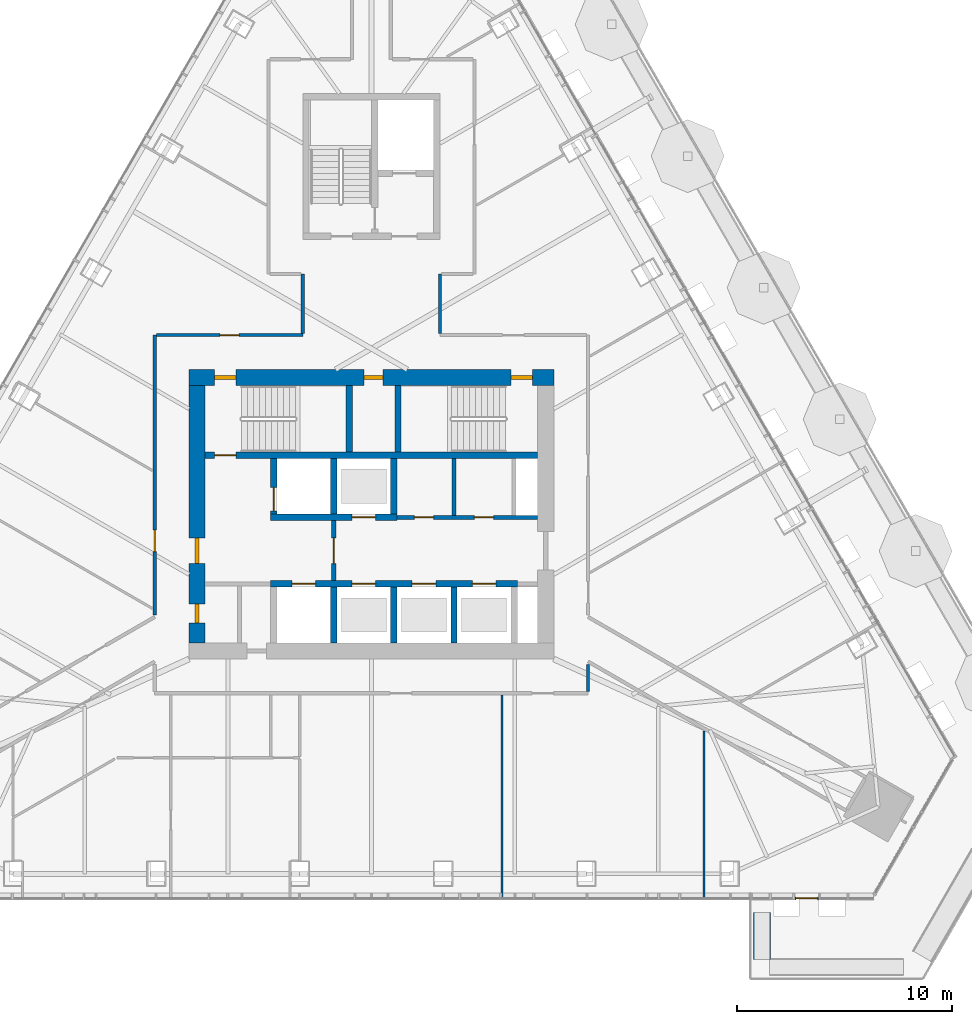
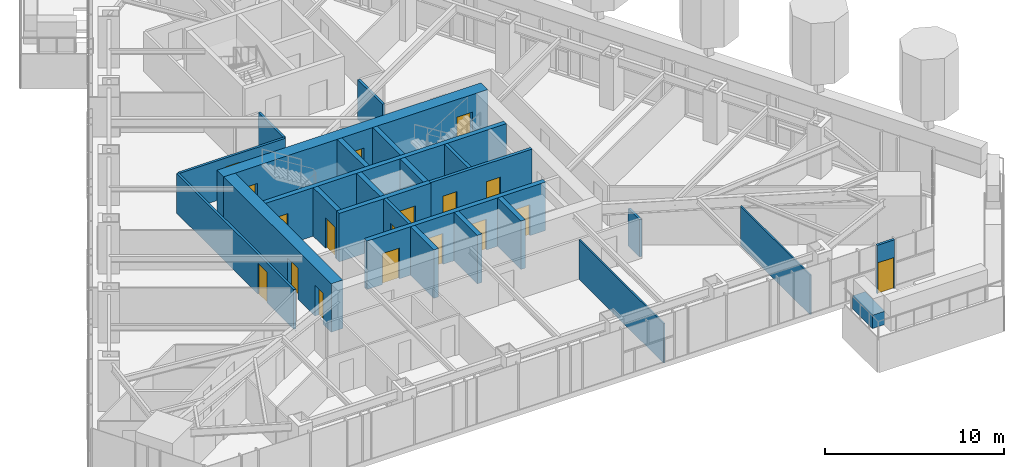
# One storey, part 18 of 24: 25 walls, 18 doors, 18 openings, 1 element without a shape of its own.
"""IFC4 building model written with IfcOpenShell, lengths in metres."""

from ifc_helpers import new_model, si_unit, direction, frame, frame_2d, origin, place, context, subcontext, project, spatial, rectangle, extrude, material, layer, layer_set, type_object, element, fill, aggregate, save


model = new_model("IFC4")

# Units and contexts
model_context = context("Model", 3, precision=1e-05, world=origin(), true_north=direction((0.0, 1.0)))
body_context = subcontext(model_context, "Body", "Model", "MODEL_VIEW")
ifc_project = project(units=[si_unit("LENGTHUNIT", "METRE"), si_unit("AREAUNIT", "SQUARE_METRE"), si_unit("VOLUMEUNIT", "CUBIC_METRE"), si_unit("PLANEANGLEUNIT", "RADIAN"), si_unit("MASSUNIT", "GRAM", prefix="KILO")], contexts=[model_context])

# Site, building, storey
site_placement = place(None, origin())
site = spatial("IfcSite", under=ifc_project, at=site_placement, CompositionType="ELEMENT")
building_placement = place(site_placement, origin())
building = spatial("IfcBuilding", under=site, at=building_placement, Name="Firuza Gate Tower and Library", CompositionType="ELEMENT")
storey_placement = place(building_placement, frame((0.0, 0.0, 267.10009765625)))
storey = spatial("IfcBuildingStorey", under=building, at=storey_placement, Name="L63", CompositionType="ELEMENT", Elevation=267.10009765625)

# Wall, openings, doors
ifc_material_1 = material(Name="Plasterboard on steel studs", Category="steel")
ifc_layer_1 = layer(ifc_material_1, 0.199951171875)
ifc_layer_set_1 = layer_set([ifc_layer_1], Name="Core partition 200 EI 120")
wall_type_1 = type_object("IfcWallType", Name="Core partition 200 EI 120", PredefinedType="PARTITIONING", material=ifc_layer_set_1)
wall_1_placement = place(storey_placement, frame((76.199951171875, 74.85009765625, 0.0), z_axis=(0.0, 0.0, 1.0), x_axis=(1.0, 0.0, 0.0)))
wall_1 = element("IfcWall", 1, at=wall_1_placement, inside=storey, type_object=wall_type_1, Name="Core partition L63 3", PredefinedType="PARTITIONING", context=body_context, shape_type="SweptSolid", body=[
    extrude(rectangle(XDim=6.550048828125, YDim=0.199951171875, at=frame_2d((3.27490234375, 0.0))), origin(), (0.0, 0.0, 1.0), 3.2998046875),
])
opening_1_placement = place(wall_1_placement, frame((0.800048828125, 0.0, 0.0)))
opening_1 = element("IfcOpeningElement", 2, at=opening_1_placement, cuts=wall_1, Name="Opening L63-K19", PredefinedType="OPENING", context=body_context, shape_type="SweptSolid", body=[
    extrude(rectangle(XDim=0.89990234375, YDim=2.10009765625, at=frame_2d((0.449951171875, 1.050048828125))), frame((0.0, 0.10986328125, 0.0), z_axis=(0.0, -1.0, 0.0), x_axis=(1.0, 0.0, 0.0)), (0.0, 0.0, 1.0), 0.219970703125),
])
opening_2_placement = place(wall_1_placement, frame((3.60009765625, 0.0, 0.0)))
opening_2 = element("IfcOpeningElement", 3, at=opening_2_placement, cuts=wall_1, Name="Opening L63-K20", PredefinedType="OPENING", context=body_context, shape_type="SweptSolid", body=[
    extrude(rectangle(XDim=0.89990234375, YDim=2.10009765625, at=frame_2d((0.449951171875, 1.050048828125))), frame((0.0, 0.10986328125, 0.0), z_axis=(0.0, -1.0, 0.0), x_axis=(1.0, 0.0, 0.0)), (0.0, 0.0, 1.0), 0.219970703125),
])
ifc_material_2 = material(Name="Steel", Category="steel")
door_type_1 = type_object("IfcDoorType", Name="Fire door 900x2100 FD30S", OperationType="NOTDEFINED", PredefinedType="DOOR", material=ifc_material_2)
door_1_placement = place(opening_1_placement, origin())
door_1 = element("IfcDoor", 4, at=door_1_placement, inside=storey, type_object=door_type_1, Name="Door L63-K19", OperationType="SINGLE_SWING_RIGHT", OverallHeight=2.10009765625, OverallWidth=0.89990234375, PredefinedType="DOOR", context=body_context, shape_type="SweptSolid", body=[
    extrude(rectangle(XDim=0.89990234375, YDim=2.10009765625, at=frame_2d((0.449951171875, 1.050048828125))), frame((0.0, 0.02490234375, 0.0), z_axis=(0.0, -1.0, 0.0), x_axis=(1.0, 0.0, 0.0)), (0.0, 0.0, 1.0), 0.050048828125),
])
fill(opening_1, door_1)
door_2_placement = place(opening_2_placement, origin())
door_2 = element("IfcDoor", 5, at=door_2_placement, inside=storey, type_object=door_type_1, Name="Door L63-K20", OperationType="SINGLE_SWING_LEFT", OverallHeight=2.10009765625, OverallWidth=0.89990234375, PredefinedType="DOOR", context=body_context, shape_type="SweptSolid", body=[
    extrude(rectangle(XDim=0.89990234375, YDim=2.10009765625, at=frame_2d((0.449951171875, 1.050048828125))), frame((0.0, 0.02490234375, 0.0), z_axis=(0.0, -1.0, 0.0), x_axis=(1.0, 0.0, 0.0)), (0.0, 0.0, 1.0), 0.050048828125),
])
fill(opening_2, door_2)

# Wall
wall_2_placement = place(storey_placement, frame((78.85009765625, 74.949951171875, 0.0), z_axis=(0.0, 0.0, 1.0), x_axis=(0.0, 1.0, 0.0)))
element("IfcWall", 6, at=wall_2_placement, inside=storey, type_object=wall_type_1, Name="Core partition L63 6", PredefinedType="PARTITIONING", context=body_context, shape_type="SweptSolid", body=[
    extrude(rectangle(XDim=2.650146484375, YDim=0.199951171875, at=frame_2d((1.3251953125, 0.0))), origin(), (0.0, 0.0, 1.0), 3.2998046875),
])

# Wall, opening, door
ifc_material_3 = material(Name="Plasterboard on steel studs", Category="steel")
ifc_layer_2 = layer(ifc_material_3, 0.199951171875)
ifc_layer_set_2 = layer_set([ifc_layer_2], Name="Core partition 200 EI 60")
wall_type_2 = type_object("IfcWallType", Name="Core partition 200 EI 60", PredefinedType="PARTITIONING", material=ifc_layer_set_2)
wall_3_placement = place(storey_placement, frame((73.25, 71.89990234375, 0.0), z_axis=(0.0, 0.0, 1.0), x_axis=(0.0, 1.0, 0.0)))
wall_3 = element("IfcWall", 7, at=wall_3_placement, inside=storey, type_object=wall_type_2, Name="Core partition L63 5", PredefinedType="PARTITIONING", context=body_context, shape_type="SweptSolid", body=[
    extrude(rectangle(XDim=2.800048828125, YDim=0.199951171875, at=frame_2d((1.39990234375, 0.0))), origin(), (0.0, 0.0, 1.0), 3.2998046875),
])
opening_3_placement = place(wall_3_placement, frame((0.800048828125, 0.0, 0.0)))
opening_3 = element("IfcOpeningElement", 8, at=opening_3_placement, cuts=wall_3, Name="Opening L63-K14", PredefinedType="OPENING", context=body_context, shape_type="SweptSolid", body=[
    extrude(rectangle(XDim=1.199951171875, YDim=2.10009765625, at=frame_2d((0.60009765625, 1.050048828125))), frame((0.0, 0.10986328125, 0.0), z_axis=(0.0, -1.0, 0.0), x_axis=(1.0, 0.0, 0.0)), (0.0, 0.0, 1.0), 0.219970703125),
])
ifc_material_4 = material(Name="Steel", Category="steel")
door_type_2 = type_object("IfcDoorType", Name="Fire door 1200x2100 FD90S", OperationType="NOTDEFINED", PredefinedType="DOOR", material=ifc_material_4)
door_3_placement = place(opening_3_placement, origin())
door_3 = element("IfcDoor", 9, at=door_3_placement, inside=storey, type_object=door_type_2, Name="Door L63-K14", OperationType="SINGLE_SWING_LEFT", OverallHeight=2.10009765625, OverallWidth=1.199951171875, PredefinedType="DOOR", context=body_context, shape_type="SweptSolid", body=[
    extrude(rectangle(XDim=1.199951171875, YDim=2.10009765625, at=frame_2d((0.60009765625, 1.050048828125))), frame((0.0, 0.02490234375, 0.0), z_axis=(0.0, -1.0, 0.0), x_axis=(1.0, 0.0, 0.0)), (0.0, 0.0, 1.0), 0.050048828125),
])
fill(opening_3, door_3)

# Wall, openings, doors
ifc_material_5 = material(Name="Concrete C60/75", Category="concrete")
ifc_layer_3 = layer(ifc_material_5, 0.300048828125)
ifc_layer_set_3 = layer_set([ifc_layer_3], Name="Core wall 300 C60/75")
wall_type_3 = type_object("IfcWallType", Name="Core wall 300 C60/75", PredefinedType="SHEAR", material=ifc_layer_set_3)
wall_4_placement = place(storey_placement, frame((70.300048828125, 71.75, 0.0), z_axis=(0.0, 0.0, 1.0), x_axis=(1.0, 0.0, 0.0)))
wall_4 = element("IfcWall", 10, at=wall_4_placement, inside=storey, type_object=wall_type_3, Name="Core wall L63 5", PredefinedType="SHEAR", context=body_context, shape_type="SweptSolid", body=[
    extrude(rectangle(XDim=11.5, YDim=0.300048828125, at=frame_2d((5.75, 0.0))), origin(), (0.0, 0.0, 1.0), 3.2998046875),
])
opening_4_placement = place(wall_4_placement, frame((1.0, 0.0, 0.0)))
opening_4 = element("IfcOpeningElement", 11, at=opening_4_placement, cuts=wall_4, Name="Opening LD-FF1-L63", PredefinedType="OPENING", context=body_context, shape_type="SweptSolid", body=[
    extrude(rectangle(XDim=1.10009765625, YDim=2.10009765625, at=frame_2d((0.550048828125, 1.050048828125))), frame((0.0, 0.16015625, 0.0), z_axis=(0.0, -1.0, 0.0), x_axis=(1.0, 0.0, 0.0)), (0.0, 0.0, 1.0), 0.320068359375),
])
opening_5_placement = place(wall_4_placement, frame((3.800048828125, 0.0, 0.0)))
opening_5 = element("IfcOpeningElement", 12, at=opening_5_placement, cuts=wall_4, Name="Opening LD-HR1-L63", PredefinedType="OPENING", context=body_context, shape_type="SweptSolid", body=[
    extrude(rectangle(XDim=1.10009765625, YDim=2.10009765625, at=frame_2d((0.550048828125, 1.050048828125))), frame((0.0, 0.16015625, 0.0), z_axis=(0.0, -1.0, 0.0), x_axis=(1.0, 0.0, 0.0)), (0.0, 0.0, 1.0), 0.320068359375),
])
opening_6_placement = place(wall_4_placement, frame((6.60009765625, 0.0, 0.0)))
opening_6 = element("IfcOpeningElement", 13, at=opening_6_placement, cuts=wall_4, Name="Opening LD-HR2-L63", PredefinedType="OPENING", context=body_context, shape_type="SweptSolid", body=[
    extrude(rectangle(XDim=1.10009765625, YDim=2.10009765625, at=frame_2d((0.550048828125, 1.050048828125))), frame((0.0, 0.16015625, 0.0), z_axis=(0.0, -1.0, 0.0), x_axis=(1.0, 0.0, 0.0)), (0.0, 0.0, 1.0), 0.320068359375),
])
opening_7_placement = place(wall_4_placement, frame((9.39990234375, 0.0, 0.0)))
opening_7 = element("IfcOpeningElement", 14, at=opening_7_placement, cuts=wall_4, Name="Opening LD-HR3-L63", PredefinedType="OPENING", context=body_context, shape_type="SweptSolid", body=[
    extrude(rectangle(XDim=1.10009765625, YDim=2.10009765625, at=frame_2d((0.550048828125, 1.050048828125))), frame((0.0, 0.16015625, 0.0), z_axis=(0.0, -1.0, 0.0), x_axis=(1.0, 0.0, 0.0)), (0.0, 0.0, 1.0), 0.320068359375),
])
ifc_material_6 = material(Name="Stainless steel", Category="steel")
door_type_3 = type_object("IfcDoorType", Name="Lift landing door 1100x2100", OperationType="DOUBLE_DOOR_SLIDING", PredefinedType="DOOR", material=ifc_material_6)
door_4_placement = place(opening_4_placement, origin())
door_4 = element("IfcDoor", 15, at=door_4_placement, inside=storey, type_object=door_type_3, Name="Landing door FF1 L63", OperationType="DOUBLE_DOOR_SLIDING", OverallHeight=2.10009765625, OverallWidth=1.10009765625, PredefinedType="DOOR", context=body_context, shape_type="SweptSolid", body=[
    extrude(rectangle(XDim=1.10009765625, YDim=2.10009765625, at=frame_2d((0.550048828125, 1.050048828125))), frame((0.0, 0.02490234375, 0.0), z_axis=(0.0, -1.0, 0.0), x_axis=(1.0, 0.0, 0.0)), (0.0, 0.0, 1.0), 0.050048828125),
])
fill(opening_4, door_4)
door_5_placement = place(opening_5_placement, origin())
door_5 = element("IfcDoor", 16, at=door_5_placement, inside=storey, type_object=door_type_3, Name="Landing door HR1 L63", OperationType="DOUBLE_DOOR_SLIDING", OverallHeight=2.10009765625, OverallWidth=1.10009765625, PredefinedType="DOOR", context=body_context, shape_type="SweptSolid", body=[
    extrude(rectangle(XDim=1.10009765625, YDim=2.10009765625, at=frame_2d((0.550048828125, 1.050048828125))), frame((0.0, 0.02490234375, 0.0), z_axis=(0.0, -1.0, 0.0), x_axis=(1.0, 0.0, 0.0)), (0.0, 0.0, 1.0), 0.050048828125),
])
fill(opening_5, door_5)
door_6_placement = place(opening_6_placement, origin())
door_6 = element("IfcDoor", 17, at=door_6_placement, inside=storey, type_object=door_type_3, Name="Landing door HR2 L63", OperationType="DOUBLE_DOOR_SLIDING", OverallHeight=2.10009765625, OverallWidth=1.10009765625, PredefinedType="DOOR", context=body_context, shape_type="SweptSolid", body=[
    extrude(rectangle(XDim=1.10009765625, YDim=2.10009765625, at=frame_2d((0.550048828125, 1.050048828125))), frame((0.0, 0.02490234375, 0.0), z_axis=(0.0, -1.0, 0.0), x_axis=(1.0, 0.0, 0.0)), (0.0, 0.0, 1.0), 0.050048828125),
])
fill(opening_6, door_6)
door_7_placement = place(opening_7_placement, origin())
door_7 = element("IfcDoor", 18, at=door_7_placement, inside=storey, type_object=door_type_3, Name="Landing door HR3 L63", OperationType="DOUBLE_DOOR_SLIDING", OverallHeight=2.10009765625, OverallWidth=1.10009765625, PredefinedType="DOOR", context=body_context, shape_type="SweptSolid", body=[
    extrude(rectangle(XDim=1.10009765625, YDim=2.10009765625, at=frame_2d((0.550048828125, 1.050048828125))), frame((0.0, 0.02490234375, 0.0), z_axis=(0.0, -1.0, 0.0), x_axis=(1.0, 0.0, 0.0)), (0.0, 0.0, 1.0), 0.050048828125),
])
fill(opening_7, door_7)

# Wall, opening, door
wall_5_placement = place(storey_placement, frame((70.300048828125, 74.85009765625, 0.0), z_axis=(0.0, 0.0, 1.0), x_axis=(1.0, 0.0, 0.0)))
wall_5 = element("IfcWall", 19, at=wall_5_placement, inside=storey, type_object=wall_type_3, Name="Core wall L63 6", PredefinedType="SHEAR", context=body_context, shape_type="SweptSolid", body=[
    extrude(rectangle(XDim=5.89990234375, YDim=0.300048828125, at=frame_2d((2.949951171875, 0.0))), origin(), (0.0, 0.0, 1.0), 3.2998046875),
])
opening_8_placement = place(wall_5_placement, frame((3.800048828125, 0.0, 0.0)))
opening_8 = element("IfcOpeningElement", 20, at=opening_8_placement, cuts=wall_5, Name="Opening LD-HR4-L63", PredefinedType="OPENING", context=body_context, shape_type="SweptSolid", body=[
    extrude(rectangle(XDim=1.10009765625, YDim=2.10009765625, at=frame_2d((0.550048828125, 1.050048828125))), frame((0.0, 0.16015625, 0.0), z_axis=(0.0, -1.0, 0.0), x_axis=(1.0, 0.0, 0.0)), (0.0, 0.0, 1.0), 0.320068359375),
])
door_8_placement = place(opening_8_placement, origin())
door_8 = element("IfcDoor", 21, at=door_8_placement, inside=storey, type_object=door_type_3, Name="Landing door HR4 L63", OperationType="DOUBLE_DOOR_SLIDING", OverallHeight=2.10009765625, OverallWidth=1.10009765625, PredefinedType="DOOR", context=body_context, shape_type="SweptSolid", body=[
    extrude(rectangle(XDim=1.10009765625, YDim=2.10009765625, at=frame_2d((0.550048828125, 1.050048828125))), frame((0.0, 0.02490234375, 0.0), z_axis=(0.0, -1.0, 0.0), x_axis=(1.0, 0.0, 0.0)), (0.0, 0.0, 1.0), 0.050048828125),
])
fill(opening_8, door_8)

wall_6_placement = place(storey_placement, frame((70.449951171875, 75.0, 0.0), z_axis=(0.0, 0.0, 1.0), x_axis=(0.0, 1.0, 0.0)))
wall_6 = element("IfcWall", 22, at=wall_6_placement, inside=storey, type_object=wall_type_3, Name="Core wall L63 8", PredefinedType="SHEAR", context=body_context, shape_type="SweptSolid", body=[
    extrude(rectangle(XDim=2.60009765625, YDim=0.300048828125, at=frame_2d((1.300048828125, 0.0))), origin(), (0.0, 0.0, 1.0), 3.2998046875),
])
opening_9_placement = place(wall_6_placement, frame((0.14990234375, 0.0, 0.0)))
opening_9 = element("IfcOpeningElement", 23, at=opening_9_placement, cuts=wall_6, Name="Opening LD-FF2-L63", PredefinedType="OPENING", context=body_context, shape_type="SweptSolid", body=[
    extrude(rectangle(XDim=1.10009765625, YDim=2.10009765625, at=frame_2d((0.550048828125, 1.050048828125))), frame((0.0, 0.16015625, 0.0), z_axis=(0.0, -1.0, 0.0), x_axis=(1.0, 0.0, 0.0)), (0.0, 0.0, 1.0), 0.320068359375),
])
door_9_placement = place(opening_9_placement, origin())
door_9 = element("IfcDoor", 24, at=door_9_placement, inside=storey, type_object=door_type_3, Name="Landing door FF2 L63", OperationType="DOUBLE_DOOR_SLIDING", OverallHeight=2.10009765625, OverallWidth=1.10009765625, PredefinedType="DOOR", context=body_context, shape_type="SweptSolid", body=[
    extrude(rectangle(XDim=1.10009765625, YDim=2.10009765625, at=frame_2d((0.550048828125, 1.050048828125))), frame((0.0, 0.02490234375, 0.0), z_axis=(0.0, -1.0, 0.0), x_axis=(1.0, 0.0, 0.0)), (0.0, 0.0, 1.0), 0.050048828125),
])
fill(opening_9, door_9)

# Walls
for number, where, z_axis, x_axis, name in (
    (25, (73.25, 69.0, 0.0), (0.0, 0.0, 1.0), (0.0, 1.0, 0.0), "Core wall L63 9"),
    (26, (73.25, 75.0, 0.0), (0.0, 0.0, 1.0), (0.0, 1.0, 0.0), "Core wall L63 10"),
    (27, (76.050048828125, 69.0, 0.0), (0.0, 0.0, 1.0), (0.0, 1.0, 0.0), "Core wall L63 11"),
    (28, (76.050048828125, 75.0, 0.0), (0.0, 0.0, 1.0), (0.0, 1.0, 0.0), "Core wall L63 12"),
    (29, (78.85009765625, 69.0, 0.0), (0.0, 0.0, 1.0), (0.0, 1.0, 0.0), "Core wall L63 13"),
):
    element("IfcWall", number, at=place(storey_placement, frame(where, z_axis=z_axis, x_axis=x_axis)), inside=storey, type_object=wall_type_3, Name=name, PredefinedType="SHEAR", context=body_context, shape_type="SweptSolid", body=[
        extrude(rectangle(XDim=2.60009765625, YDim=0.300048828125, at=frame_2d((1.300048828125, 0.0))), origin(), (0.0, 0.0, 1.0), 3.2998046875),
    ])

# Wall, opening, door
wall_7_placement = place(storey_placement, frame((67.25, 77.75, 0.0), z_axis=(0.0, 0.0, 1.0), x_axis=(1.0, 0.0, 0.0)))
wall_7 = element("IfcWall", 30, at=wall_7_placement, inside=storey, type_object=wall_type_3, Name="Core wall L63 15", PredefinedType="SHEAR", context=body_context, shape_type="SweptSolid", body=[
    extrude(rectangle(XDim=15.5, YDim=0.300048828125, at=frame_2d((7.75, 0.0))), origin(), (0.0, 0.0, 1.0), 3.2998046875),
])
opening_10_placement = place(wall_7_placement, frame((0.445068359375, 0.0, 0.0)))
opening_10 = element("IfcOpeningElement", 31, at=opening_10_placement, cuts=wall_7, Name="Opening L63-K08", PredefinedType="OPENING", context=body_context, shape_type="SweptSolid", body=[
    extrude(rectangle(XDim=1.0, YDim=2.10009765625, at=frame_2d((0.5, 1.050048828125))), frame((0.0, 0.16015625, 0.0), z_axis=(0.0, -1.0, 0.0), x_axis=(1.0, 0.0, 0.0)), (0.0, 0.0, 1.0), 0.320068359375),
])
ifc_material_7 = material(Name="Steel", Category="steel")
door_type_4 = type_object("IfcDoorType", Name="Fire door 1000x2100 FD90", OperationType="NOTDEFINED", PredefinedType="DOOR", material=ifc_material_7)
door_10_placement = place(opening_10_placement, origin())
door_10 = element("IfcDoor", 32, at=door_10_placement, inside=storey, type_object=door_type_4, Name="Door L63-K08", OperationType="SINGLE_SWING_LEFT", OverallHeight=2.10009765625, OverallWidth=1.0, PredefinedType="DOOR", context=body_context, shape_type="SweptSolid", body=[
    extrude(rectangle(XDim=1.0, YDim=2.10009765625, at=frame_2d((0.5, 1.050048828125))), frame((0.0, 0.02490234375, 0.0), z_axis=(0.0, -1.0, 0.0), x_axis=(1.0, 0.0, 0.0)), (0.0, 0.0, 1.0), 0.050048828125),
])
fill(opening_10, door_10)

# Walls
for number, where, z_axis, x_axis, name in (
    (33, (73.9599609375, 77.89990234375, 0.0), (0.0, 0.0, 1.0), (0.0, 1.0, 0.0), "Core wall L63 16"),
    (34, (76.239990234375, 77.89990234375, 0.0), (0.0, 0.0, 1.0), (0.0, 1.0, 0.0), "Core wall L63 17"),
):
    element("IfcWall", number, at=place(storey_placement, frame(where, z_axis=z_axis, x_axis=x_axis)), inside=storey, type_object=wall_type_3, Name=name, PredefinedType="SHEAR", context=body_context, shape_type="SweptSolid", body=[
        extrude(rectangle(XDim=3.10009765625, YDim=0.300048828125, at=frame_2d((1.550048828125, 0.0))), origin(), (0.0, 0.0, 1.0), 3.2998046875),
    ])

# Wall, openings, doors
ifc_material_8 = material(Name="Concrete C60/75", Category="concrete")
ifc_layer_4 = layer(ifc_material_8, 0.75)
ifc_layer_set_4 = layer_set([ifc_layer_4], Name="Core wall 750 C60/75")
wall_type_4 = type_object("IfcWallType", Name="Core wall 750 C60/75", PredefinedType="SHEAR", material=ifc_layer_set_4)
wall_8_placement = place(storey_placement, frame((66.5, 81.375, 0.0), z_axis=(0.0, 0.0, 1.0), x_axis=(1.0, 0.0, 0.0)))
wall_8 = element("IfcWall", 35, at=wall_8_placement, inside=storey, type_object=wall_type_4, Name="Core wall L63 2", PredefinedType="SHEAR", context=body_context, shape_type="SweptSolid", body=[
    extrude(rectangle(XDim=17.0, YDim=0.75, at=frame_2d((8.5, 0.0))), origin(), (0.0, 0.0, 1.0), 3.2998046875),
])
opening_11_placement = place(wall_8_placement, frame((1.195068359375, 0.0, 0.0)))
opening_11 = element("IfcOpeningElement", 36, at=opening_11_placement, cuts=wall_8, Name="Opening L63-K09", PredefinedType="OPENING", context=body_context, shape_type="SweptSolid", body=[
    extrude(rectangle(XDim=1.0, YDim=2.10009765625, at=frame_2d((0.5, 1.050048828125))), frame((0.0, 0.385009765625, 0.0), z_axis=(0.0, -1.0, 0.0), x_axis=(1.0, 0.0, 0.0)), (0.0, 0.0, 1.0), 0.77001953125),
])
opening_12_placement = place(wall_8_placement, frame((15.0048828125, 0.0, 0.0)))
opening_12 = element("IfcOpeningElement", 37, at=opening_12_placement, cuts=wall_8, Name="Opening L63-K10", PredefinedType="OPENING", context=body_context, shape_type="SweptSolid", body=[
    extrude(rectangle(XDim=1.0, YDim=2.10009765625, at=frame_2d((0.5, 1.050048828125))), frame((0.0, 0.385009765625, 0.0), z_axis=(0.0, -1.0, 0.0), x_axis=(1.0, 0.0, 0.0)), (0.0, 0.0, 1.0), 0.77001953125),
])
opening_13_placement = place(wall_8_placement, frame((8.14990234375, 0.0, 0.0)))
opening_13 = element("IfcOpeningElement", 38, at=opening_13_placement, cuts=wall_8, Name="Opening L63-K21", PredefinedType="OPENING", context=body_context, shape_type="SweptSolid", body=[
    extrude(rectangle(XDim=0.89990234375, YDim=2.10009765625, at=frame_2d((0.449951171875, 1.050048828125))), frame((0.0, 0.385009765625, 0.0), z_axis=(0.0, -1.0, 0.0), x_axis=(1.0, 0.0, 0.0)), (0.0, 0.0, 1.0), 0.77001953125),
])
door_11_placement = place(opening_11_placement, origin())
door_11 = element("IfcDoor", 39, at=door_11_placement, inside=storey, type_object=door_type_4, Name="Door L63-K09", OperationType="SINGLE_SWING_RIGHT", OverallHeight=2.10009765625, OverallWidth=1.0, PredefinedType="DOOR", context=body_context, shape_type="SweptSolid", body=[
    extrude(rectangle(XDim=1.0, YDim=2.10009765625, at=frame_2d((0.5, 1.050048828125))), frame((0.0, 0.094970703125, 0.0), z_axis=(0.0, -1.0, 0.0), x_axis=(1.0, 0.0, 0.0)), (0.0, 0.0, 1.0), 0.18994140625),
])
fill(opening_11, door_11)
door_12_placement = place(opening_12_placement, origin())
door_12 = element("IfcDoor", 40, at=door_12_placement, inside=storey, type_object=door_type_4, Name="Door L63-K10", OperationType="SINGLE_SWING_LEFT", OverallHeight=2.10009765625, OverallWidth=1.0, PredefinedType="DOOR", context=body_context, shape_type="SweptSolid", body=[
    extrude(rectangle(XDim=1.0, YDim=2.10009765625, at=frame_2d((0.5, 1.050048828125))), frame((0.0, 0.094970703125, 0.0), z_axis=(0.0, -1.0, 0.0), x_axis=(1.0, 0.0, 0.0)), (0.0, 0.0, 1.0), 0.18994140625),
])
fill(opening_12, door_12)
door_13_placement = place(opening_13_placement, origin())
door_13 = element("IfcDoor", 41, at=door_13_placement, inside=storey, type_object=door_type_1, Name="Door L63-K21", OperationType="SINGLE_SWING_RIGHT", OverallHeight=2.10009765625, OverallWidth=0.89990234375, PredefinedType="DOOR", context=body_context, shape_type="SweptSolid", body=[
    extrude(rectangle(XDim=0.89990234375, YDim=2.10009765625, at=frame_2d((0.449951171875, 1.050048828125))), frame((0.0, 0.094970703125, 0.0), z_axis=(0.0, -1.0, 0.0), x_axis=(1.0, 0.0, 0.0)), (0.0, 0.0, 1.0), 0.18994140625),
])
fill(opening_13, door_13)

wall_9_placement = place(storey_placement, frame((66.875, 69.0, 0.0), z_axis=(0.0, 0.0, 1.0), x_axis=(0.0, 1.0, 0.0)))
wall_9 = element("IfcWall", 42, at=wall_9_placement, inside=storey, type_object=wall_type_4, Name="Core wall L63 3", PredefinedType="SHEAR", context=body_context, shape_type="SweptSolid", body=[
    extrude(rectangle(XDim=12.0, YDim=0.75, at=frame_2d((6.0, 0.0))), origin(), (0.0, 0.0, 1.0), 3.2998046875),
])
opening_14_placement = place(wall_9_placement, frame((3.699951171875, 0.0, 0.0)))
opening_14 = element("IfcOpeningElement", 43, at=opening_14_placement, cuts=wall_9, Name="Opening L63-K15", PredefinedType="OPENING", context=body_context, shape_type="SweptSolid", body=[
    extrude(rectangle(XDim=1.199951171875, YDim=2.10009765625, at=frame_2d((0.60009765625, 1.050048828125))), frame((0.0, 0.385009765625, 0.0), z_axis=(0.0, -1.0, 0.0), x_axis=(1.0, 0.0, 0.0)), (0.0, 0.0, 1.0), 0.77001953125),
])
opening_15_placement = place(wall_9_placement, frame((0.925048828125, 0.0, 0.0)))
opening_15 = element("IfcOpeningElement", 44, at=opening_15_placement, cuts=wall_9, Name="Opening L63-K17", PredefinedType="OPENING", context=body_context, shape_type="SweptSolid", body=[
    extrude(rectangle(XDim=0.89990234375, YDim=2.10009765625, at=frame_2d((0.449951171875, 1.050048828125))), frame((0.0, 0.385009765625, 0.0), z_axis=(0.0, -1.0, 0.0), x_axis=(1.0, 0.0, 0.0)), (0.0, 0.0, 1.0), 0.77001953125),
])
door_14_placement = place(opening_14_placement, origin())
door_14 = element("IfcDoor", 45, at=door_14_placement, inside=storey, type_object=door_type_2, Name="Door L63-K15", OperationType="SINGLE_SWING_RIGHT", OverallHeight=2.10009765625, OverallWidth=1.199951171875, PredefinedType="DOOR", context=body_context, shape_type="SweptSolid", body=[
    extrude(rectangle(XDim=1.199951171875, YDim=2.10009765625, at=frame_2d((0.60009765625, 1.050048828125))), frame((0.0, 0.094970703125, 0.0), z_axis=(0.0, -1.0, 0.0), x_axis=(1.0, 0.0, 0.0)), (0.0, 0.0, 1.0), 0.18994140625),
])
fill(opening_14, door_14)
door_15_placement = place(opening_15_placement, origin())
door_15 = element("IfcDoor", 46, at=door_15_placement, inside=storey, type_object=door_type_1, Name="Door L63-K17", OperationType="SINGLE_SWING_RIGHT", OverallHeight=2.10009765625, OverallWidth=0.89990234375, PredefinedType="DOOR", context=body_context, shape_type="SweptSolid", body=[
    extrude(rectangle(XDim=0.89990234375, YDim=2.10009765625, at=frame_2d((0.449951171875, 1.050048828125))), frame((0.0, 0.094970703125, 0.0), z_axis=(0.0, -1.0, 0.0), x_axis=(1.0, 0.0, 0.0)), (0.0, 0.0, 1.0), 0.18994140625),
])
fill(opening_15, door_15)

# Wall, opening, door
ifc_material_9 = material(Name="Gypsum board partition")
ifc_layer_5 = layer(ifc_material_9, 0.14990234375)
ifc_layer_set_5 = layer_set([ifc_layer_5], Name="Corridor wall 150 double board on steel studs")
wall_type_5 = type_object("IfcWallType", Name="Corridor wall 150 double board on steel studs", PredefinedType="PARTITIONING", material=ifc_layer_set_5)
wall_10_placement = place(storey_placement, frame((64.97705078125, 83.35009765625, 0.0), z_axis=(0.0, 0.0, 1.0), x_axis=(1.0, 0.0, 0.0)))
wall_10 = element("IfcWall", 47, at=wall_10_placement, inside=storey, type_object=wall_type_5, Name="f:L63:w004", PredefinedType="PARTITIONING", context=body_context, shape_type="SweptSolid", body=[
    extrude(rectangle(XDim=6.822998046875, YDim=0.14990234375, at=frame_2d((3.41162109375, 0.0))), origin(), (0.0, 0.0, 1.0), 2.699951171875),
])
opening_16_placement = place(wall_10_placement, frame((2.96142578125, 0.0, 0.0)))
opening_16 = element("IfcOpeningElement", 48, at=opening_16_placement, cuts=wall_10, Name="Opening L63-04", PredefinedType="OPENING", context=body_context, shape_type="SweptSolid", body=[
    extrude(rectangle(XDim=0.89990234375, YDim=2.10009765625, at=frame_2d((0.449951171875, 1.050048828125))), frame((0.0, 0.0849609375, 0.0), z_axis=(0.0, -1.0, 0.0), x_axis=(1.0, 0.0, 0.0)), (0.0, 0.0, 1.0), 0.169921875),
])
ifc_material_10 = material(Name="Steel door and timber leaf", Category="steel")
door_type_5 = type_object("IfcDoorType", Name="Fire door 900 x 2100 steel frame, timber leaf", OperationType="NOTDEFINED", PredefinedType="DOOR", material=ifc_material_10)
door_16_placement = place(opening_16_placement, origin())
door_16 = element("IfcDoor", 49, at=door_16_placement, inside=storey, type_object=door_type_5, Name="f:L63:d004", OperationType="SINGLE_SWING_LEFT", OverallHeight=2.10009765625, OverallWidth=0.89990234375, PredefinedType="DOOR", context=body_context, shape_type="SweptSolid", body=[
    extrude(rectangle(XDim=0.89990234375, YDim=2.10009765625, at=frame_2d((0.449951171875, 1.050048828125))), frame((0.0, 0.02490234375, 0.0), z_axis=(0.0, -1.0, 0.0), x_axis=(1.0, 0.0, 0.0)), (0.0, 0.0, 1.0), 0.050048828125),
])
fill(opening_16, door_16)

# Walls
wall_11_placement = place(storey_placement, frame((85.10009765625, 66.7255859375, 0.0), z_axis=(0.0, 0.0, 1.0), x_axis=(0.0, 1.0, 0.0)))
element("IfcWall", 50, at=wall_11_placement, inside=storey, type_object=wall_type_5, Name="f:L63:w031", PredefinedType="PARTITIONING", context=body_context, shape_type="SweptSolid", body=[
    extrude(rectangle(XDim=1.267333984375, YDim=0.14990234375, at=frame_2d((0.6337890625, 0.0))), origin(), (0.0, 0.0, 1.0), 2.546875),
])
for number, where, z_axis, x_axis, name in (
    (51, (78.199951171875, 83.425048828125, 0.0), (0.0, 0.0, 1.0), (0.0, 1.0, 0.0), "f:L63:w035"),
    (52, (71.800048828125, 83.425048828125, 0.0), (0.0, 0.0, 1.0), (0.0, 1.0, 0.0), "f:L63:w040"),
):
    element("IfcWall", number, at=place(storey_placement, frame(where, z_axis=z_axis, x_axis=x_axis)), inside=storey, type_object=wall_type_5, Name=name, PredefinedType="PARTITIONING", context=body_context, shape_type="SweptSolid", body=[
        extrude(rectangle(XDim=2.77490234375, YDim=0.14990234375, at=frame_2d((1.387451171875, 0.0))), origin(), (0.0, 0.0, 1.0), 2.697021484375),
    ])

# Wall, opening, door
wall_12_placement = place(storey_placement, frame((64.89990234375, 70.294677734375, 0.0), z_axis=(0.0, 0.0, 1.0), x_axis=(0.0, 1.0, 0.0)))
wall_12 = element("IfcWall", 53, at=wall_12_placement, inside=storey, type_object=wall_type_5, Name="f:L63:w047", PredefinedType="PARTITIONING", context=body_context, shape_type="SweptSolid", body=[
    extrude(rectangle(XDim=13.05322265625, YDim=0.14990234375, at=frame_2d((6.526611328125, 0.0))), origin(), (0.0, 0.0, 1.0), 2.699951171875),
])
opening_17_placement = place(wall_12_placement, frame((2.96337890625, 0.0, 0.0)))
opening_17 = element("IfcOpeningElement", 54, at=opening_17_placement, cuts=wall_12, Name="Opening L63-18", PredefinedType="OPENING", context=body_context, shape_type="SweptSolid", body=[
    extrude(rectangle(XDim=1.0, YDim=2.10009765625, at=frame_2d((0.5, 1.050048828125))), frame((0.0, 0.0849609375, 0.0), z_axis=(0.0, -1.0, 0.0), x_axis=(1.0, 0.0, 0.0)), (0.0, 0.0, 1.0), 0.169921875),
])
ifc_material_11 = material(Name="Steel door and timber leaf", Category="steel")
door_type_6 = type_object("IfcDoorType", Name="Fire door 1000 x 2100 steel frame, timber leaf", OperationType="NOTDEFINED", PredefinedType="DOOR", material=ifc_material_11)
door_17_placement = place(opening_17_placement, origin())
door_17 = element("IfcDoor", 55, at=door_17_placement, inside=storey, type_object=door_type_6, Name="f:L63:d018", OperationType="SINGLE_SWING_RIGHT", OverallHeight=2.10009765625, OverallWidth=1.0, PredefinedType="DOOR", context=body_context, shape_type="SweptSolid", body=[
    extrude(rectangle(XDim=1.0, YDim=2.10009765625, at=frame_2d((0.5, 1.050048828125))), frame((0.0, 0.02490234375, 0.0), z_axis=(0.0, -1.0, 0.0), x_axis=(1.0, 0.0, 0.0)), (0.0, 0.0, 1.0), 0.050048828125),
])
fill(opening_17, door_17)

# Walls
ifc_material_12 = material(Name="Gypsum board partition")
ifc_layer_6 = layer(ifc_material_12, 0.10009765625)
ifc_layer_set_6 = layer_set([ifc_layer_6], Name="Partition 100 gypsum board on steel studs")
wall_type_6 = type_object("IfcWallType", Name="Partition 100 gypsum board on steel studs", PredefinedType="PARTITIONING", material=ifc_layer_set_6)
wall_13_placement = place(storey_placement, frame((90.506103515625, 57.13916015625, 0.0), z_axis=(0.0, 0.0, 1.0), x_axis=(0.0, 1.0, 0.0)))
element("IfcWall", 56, at=wall_13_placement, inside=storey, type_object=wall_type_6, Name="f:L63:w030", PredefinedType="PARTITIONING", context=body_context, shape_type="SweptSolid", body=[
    extrude(rectangle(XDim=7.752685546875, YDim=0.10009765625, at=frame_2d((3.87646484375, 0.0))), origin(), (0.0, 0.0, 1.0), 2.699951171875),
])
wall_14_placement = place(storey_placement, frame((81.08203125, 57.13916015625, 0.0), z_axis=(0.0, 0.0, 1.0), x_axis=(0.0, 1.0, 0.0)))
element("IfcWall", 57, at=wall_14_placement, inside=storey, type_object=wall_type_6, Name="f:L63:w033", PredefinedType="PARTITIONING", context=body_context, shape_type="SweptSolid", body=[
    extrude(rectangle(XDim=9.435791015625, YDim=0.10009765625, at=frame_2d((4.7177734375, 0.0))), origin(), (0.0, 0.0, 1.0), 2.68798828125),
])
ifc_material_13 = material(Name="Concrete C40/50", Category="concrete")
ifc_layer_7 = layer(ifc_material_13, 0.800048828125)
ifc_layer_set_7 = layer_set([ifc_layer_7], Name="Planter wall 800")
wall_type_7 = type_object("IfcWallType", Name="Planter wall 800", PredefinedType="SOLIDWALL", material=ifc_layer_set_7)
wall_15_placement = place(storey_placement, frame((93.210693359375, 56.439208984375, 0.0), z_axis=(0.0, 0.0, 1.0), x_axis=(0.0, -1.0, 0.0)))
element("IfcWall", 58, at=wall_15_placement, inside=storey, type_object=wall_type_7, Name="PLANTER L63 1", PredefinedType="SOLIDWALL", context=body_context, shape_type="SweptSolid", body=[
    extrude(rectangle(XDim=2.199951171875, YDim=0.800048828125, at=frame_2d((1.10009765625, 0.0))), origin(), (0.0, 0.0, 1.0), 0.89990234375),
])

# Curtain wall, wall, opening, door
ifc_material_14 = material(Name="Aluminium 6063-T6", Category="aluminium")
ifc_layer_8 = layer(ifc_material_14, 0.14990234375)
ifc_layer_set_8 = layer_set([ifc_layer_8], Name="Unitised curtain wall, residences")
curtain_wall_type = type_object("IfcCurtainWallType", Name="Unitised curtain wall, residences", PredefinedType="NOTDEFINED", material=ifc_layer_set_8)
curtain_wall_placement = place(storey_placement, origin())
curtain_wall = element("IfcCurtainWall", 59, at=curtain_wall_placement, inside=storey, type_object=curtain_wall_type, Name="CW3 L63 S face", PredefinedType="NOTDEFINED")
ifc_material_15 = material(Name="Aluminium 6063-T6", Category="aluminium")
ifc_layer_9 = layer(ifc_material_15, 0.14990234375)
ifc_layer_set_9 = layer_set([ifc_layer_9], Name="Terrace door wall 150")
wall_type_8 = type_object("IfcWallType", Name="Terrace door wall 150", PredefinedType="SOLIDWALL", material=ifc_layer_set_9)
wall_16_placement = place(storey_placement, frame((94.7275390625, 57.09423828125, 0.0), z_axis=(0.0, 0.0, 1.0), x_axis=(1.0, 0.0, 0.0)))
wall_16 = element("IfcWall", 60, at=wall_16_placement, type_object=wall_type_8, Name="Terrace door wall", PredefinedType="SOLIDWALL", context=body_context, shape_type="SweptSolid", body=[
    extrude(rectangle(XDim=1.1201171875, YDim=0.14990234375, at=frame_2d((0.56005859375, 0.0))), origin(), (0.0, 0.0, 1.0), 3.2998046875),
])
opening_18_placement = place(wall_16_placement, frame((0.06005859375, 0.0, 0.0)))
opening_18 = element("IfcOpeningElement", 61, at=opening_18_placement, cuts=wall_16, Name="Opening DR6", PredefinedType="OPENING", context=body_context, shape_type="SweptSolid", body=[
    extrude(rectangle(XDim=1.0, YDim=2.10009765625, at=frame_2d((0.5, 1.050048828125))), frame((0.0, 0.0849609375, 0.0), z_axis=(0.0, -1.0, 0.0), x_axis=(1.0, 0.0, 0.0)), (0.0, 0.0, 1.0), 0.169921875),
])
ifc_material_16 = material(Name="Aluminium 6063-T6 and glass", Category="aluminium")
door_type_7 = type_object("IfcDoorType", Name="Terrace door 1000x2100", OperationType="NOTDEFINED", PredefinedType="DOOR", material=ifc_material_16)
door_18_placement = place(opening_18_placement, origin())
door_18 = element("IfcDoor", 62, at=door_18_placement, inside=storey, type_object=door_type_7, Name="Terrace door", OperationType="SINGLE_SWING_LEFT", OverallHeight=2.10009765625, OverallWidth=1.0, PredefinedType="DOOR", context=body_context, shape_type="SweptSolid", body=[
    extrude(rectangle(XDim=1.0, YDim=2.10009765625, at=frame_2d((0.5, 1.050048828125))), frame((0.0, 0.02490234375, 0.0), z_axis=(0.0, -1.0, 0.0), x_axis=(1.0, 0.0, 0.0)), (0.0, 0.0, 1.0), 0.050048828125),
])
fill(opening_18, door_18)
aggregate(curtain_wall, [wall_16])

save(model, "model.ifc")
